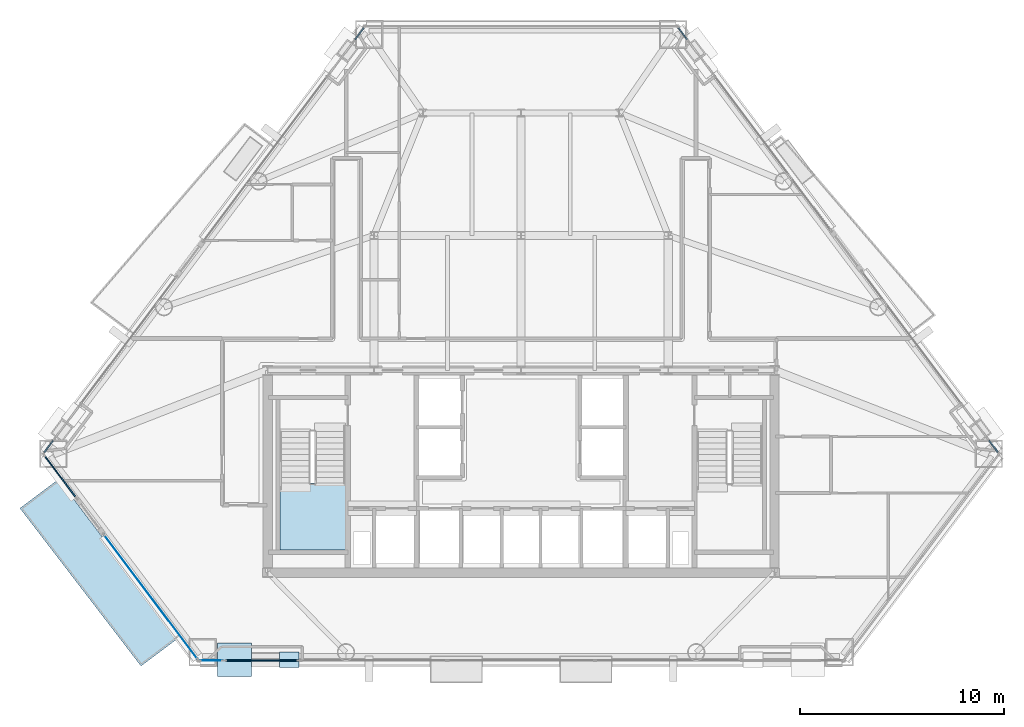
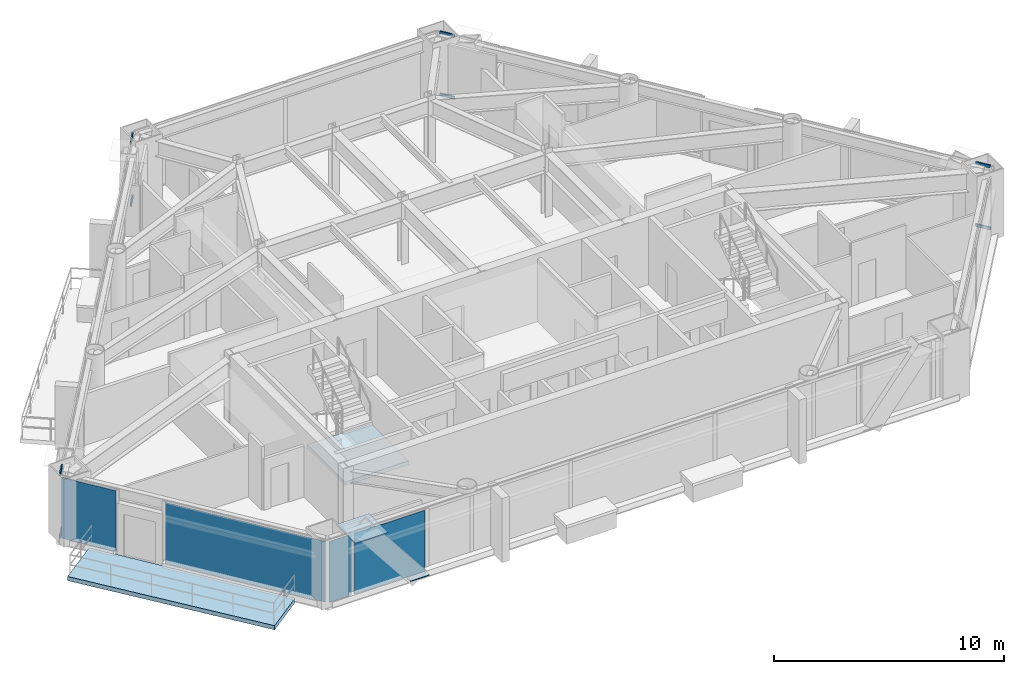
# One storey, part 5 of 14: 8 members, 6 plates, 2 slabs, 9 elements without a shape of their own.
"""IFC4 building model written with IfcOpenShell, lengths in metres."""

from ifc_helpers import new_model, si_unit, direction, frame, origin, origin_2d, place, context, subcontext, project, spatial, polyline, rectangle, outline, extrude, source, transform, mapped, material, layer, layer_set, material_profile, profile_set, type_object, type_shapes, element, aggregate, save


model = new_model("IFC4")

# Units and contexts
model_context = context("Model", 3, precision=1e-05, world=origin(), true_north=direction((0.0, 1.0)))
body_context = subcontext(model_context, "Body", "Model", "MODEL_VIEW")
ifc_project = project(units=[si_unit("LENGTHUNIT", "METRE"), si_unit("AREAUNIT", "SQUARE_METRE"), si_unit("VOLUMEUNIT", "CUBIC_METRE"), si_unit("PLANEANGLEUNIT", "RADIAN"), si_unit("MASSUNIT", "GRAM", prefix="KILO")], contexts=[model_context])

# Site, building, storey
site_placement = place(None, origin())
site = spatial("IfcSite", under=ifc_project, at=site_placement, CompositionType="ELEMENT")
building_placement = place(site_placement, origin())
building = spatial("IfcBuilding", under=site, at=building_placement, Name="Talgorran Terracotta Tower", CompositionType="ELEMENT")
storey_placement = place(building_placement, frame((0.0, 0.0, 53.10009765625)))
storey = spatial("IfcBuildingStorey", under=building, at=storey_placement, Name="L13", CompositionType="ELEMENT", Elevation=53.10009765625)

# Curtain wall, members
ifc_material_1 = material(Name="Unitised Low-E Double Glazing", Category="glass")
ifc_layer_1 = layer(ifc_material_1, 0.199951171875, Name="CW_SYS2_RES_LOW")
ifc_layer_set_1 = layer_set([ifc_layer_1], Name="Unitised Low-E Double Glazing")
curtain_wall_type = type_object("IfcCurtainWallType", Name="CW_SYS2_RES_LOW", PredefinedType="NOTDEFINED", material=ifc_layer_set_1)
curtain_wall_1_placement = place(storey_placement, origin())
curtain_wall_1 = element("IfcCurtainWall", 1, at=curtain_wall_1_placement, inside=storey, type_object=curtain_wall_type, Name="CW-L13-F40", PredefinedType="NOTDEFINED")
ifc_material_2 = material(Name="Architectural Aluminium 6063-T6", Category="aluminium")
ifc_material_profile = material_profile(ifc_material_2, rectangle(XDim=0.06494140625, YDim=0.14990234375, at=origin_2d()), Name="CWT65X150")
ifc_profile_set = profile_set([ifc_material_profile], Name="Architectural Aluminium 6063-T6")
member_type = type_object("IfcMemberType", Name="TRN_65X150", PredefinedType="USERDEFINED", material=ifc_profile_set)
member_1_placement = place(storey_placement, frame((23.32275390625, -8.20263671875, 0.032470703125), z_axis=(-0.601430361363, 0.79892522831, 0.0), x_axis=(-0.79892522831, -0.601430361363, 0.0)))
member_1 = element("IfcMember", 2, at=member_1_placement, type_object=member_type, Name="CW-L13-40 transom 1.1", ObjectType="TRANSOM", PredefinedType="USERDEFINED", context=body_context, shape_type="SweptSolid", body=[
    extrude(rectangle(XDim=0.06494140625, YDim=0.14990234375, at=origin_2d()), origin(), (0.0, 0.0, 1.0), 0.70947265625),
])
member_2_placement = place(storey_placement, frame((23.32275390625, -8.20263671875, 3.3173828125), z_axis=(-0.601430361363, 0.79892522831, 0.0), x_axis=(-0.79892522831, -0.601430361363, 0.0)))
member_2 = element("IfcMember", 3, at=member_2_placement, type_object=member_type, Name="CW-L13-40 transom 1.2", ObjectType="TRANSOM", PredefinedType="USERDEFINED", context=body_context, shape_type="SweptSolid", body=[
    extrude(rectangle(XDim=0.06494140625, YDim=0.14990234375, at=origin_2d()), origin(), (0.0, 0.0, 1.0), 0.70947265625),
])
aggregate(curtain_wall_1, [member_1, member_2])

curtain_wall_2_placement = place(storey_placement, origin())
curtain_wall_2 = element("IfcCurtainWall", 4, at=curtain_wall_2_placement, inside=storey, type_object=curtain_wall_type, Name="CW-L13-F41C", PredefinedType="NOTDEFINED")
member_3_placement = place(storey_placement, frame((8.12109375, 11.990478515625, 0.032470703125), z_axis=(-0.601395244717, 0.798951662888, 0.0), x_axis=(-0.798951662888, -0.601395244717, 0.0)))
member_3 = element("IfcMember", 5, at=member_3_placement, type_object=member_type, Name="CW-L13-41C transom 1.1", ObjectType="TRANSOM", PredefinedType="USERDEFINED", context=body_context, shape_type="SweptSolid", body=[
    extrude(rectangle(XDim=0.06494140625, YDim=0.14990234375, at=origin_2d()), origin(), (0.0, 0.0, 1.0), 0.699462890625),
])
member_4_placement = place(storey_placement, frame((8.12109375, 11.990478515625, 3.3173828125), z_axis=(-0.601395244717, 0.798951662888, 0.0), x_axis=(-0.798951662888, -0.601395244717, 0.0)))
member_4 = element("IfcMember", 6, at=member_4_placement, type_object=member_type, Name="CW-L13-41C transom 1.2", ObjectType="TRANSOM", PredefinedType="USERDEFINED", context=body_context, shape_type="SweptSolid", body=[
    extrude(rectangle(XDim=0.06494140625, YDim=0.14990234375, at=origin_2d()), origin(), (0.0, 0.0, 1.0), 0.699462890625),
])
aggregate(curtain_wall_2, [member_3, member_4])

curtain_wall_3_placement = place(storey_placement, origin())
curtain_wall_3 = element("IfcCurtainWall", 7, at=curtain_wall_3_placement, inside=storey, type_object=curtain_wall_type, Name="CW-L13-F60", PredefinedType="NOTDEFINED")
member_5_placement = place(storey_placement, frame((-7.700439453125, 12.54931640625, 0.032470703125), z_axis=(-0.601395244717, -0.798951662888, 0.0), x_axis=(0.798951662888, -0.601395244717, 0.0)))
member_5 = element("IfcMember", 8, at=member_5_placement, type_object=member_type, Name="CW-L13-60 transom 1.1", ObjectType="TRANSOM", PredefinedType="USERDEFINED", context=body_context, shape_type="SweptSolid", body=[
    extrude(rectangle(XDim=0.06494140625, YDim=0.14990234375, at=origin_2d()), origin(), (0.0, 0.0, 1.0), 0.699462890625),
])
member_6_placement = place(storey_placement, frame((-7.700439453125, 12.54931640625, 3.3173828125), z_axis=(-0.601395244717, -0.798951662888, 0.0), x_axis=(0.798951662888, -0.601395244717, 0.0)))
member_6 = element("IfcMember", 9, at=member_6_placement, type_object=member_type, Name="CW-L13-60 transom 1.2", ObjectType="TRANSOM", PredefinedType="USERDEFINED", context=body_context, shape_type="SweptSolid", body=[
    extrude(rectangle(XDim=0.06494140625, YDim=0.14990234375, at=origin_2d()), origin(), (0.0, 0.0, 1.0), 0.699462890625),
])
aggregate(curtain_wall_3, [member_5, member_6])

curtain_wall_4_placement = place(storey_placement, origin())
curtain_wall_4 = element("IfcCurtainWall", 10, at=curtain_wall_4_placement, inside=storey, type_object=curtain_wall_type, Name="CW-L13-F61C", PredefinedType="NOTDEFINED")
member_7_placement = place(storey_placement, frame((-22.89599609375, -7.6357421875, 0.032470703125), z_axis=(-0.601430361363, -0.79892522831, 0.0), x_axis=(0.79892522831, -0.601430361363, 0.0)))
member_7 = element("IfcMember", 11, at=member_7_placement, type_object=member_type, Name="CW-L13-61C transom 1.1", ObjectType="TRANSOM", PredefinedType="USERDEFINED", context=body_context, shape_type="SweptSolid", body=[
    extrude(rectangle(XDim=0.06494140625, YDim=0.14990234375, at=origin_2d()), origin(), (0.0, 0.0, 1.0), 0.70947265625),
])
member_8_placement = place(storey_placement, frame((-22.89599609375, -7.6357421875, 3.3173828125), z_axis=(-0.601430361363, -0.79892522831, 0.0), x_axis=(0.79892522831, -0.601430361363, 0.0)))
member_8 = element("IfcMember", 12, at=member_8_placement, type_object=member_type, Name="CW-L13-61C transom 1.2", ObjectType="TRANSOM", PredefinedType="USERDEFINED", context=body_context, shape_type="SweptSolid", body=[
    extrude(rectangle(XDim=0.06494140625, YDim=0.14990234375, at=origin_2d()), origin(), (0.0, 0.0, 1.0), 0.70947265625),
])
aggregate(curtain_wall_4, [member_7, member_8])

# Plates
ifc_material_3 = material(Name="Steel Grade 350 (350L0)", Category="steel")
ifc_layer_2 = layer(ifc_material_3, 0.0400390625, Name="PL_CAP_MN05")
ifc_layer_set_2 = layer_set([ifc_layer_2], Name="Steel Grade 350 (350L0)")
plate_type_1 = type_object("IfcPlateType", Name="PL_CAP_MN05", PredefinedType="USERDEFINED", material=ifc_layer_set_2)
plate_1_placement = place(storey_placement, frame((-11.3466796875, -18.35107421875, -0.010009765625), z_axis=(0.0, 0.0, 1.0), x_axis=(-1.0, 0.0, 0.0)))
element("IfcPlate", 13, at=plate_1_placement, inside=storey, type_object=plate_type_1, Name="L13 Diagonal Frame End Cap SWF Bot", ObjectType="CAP PLATE", PredefinedType="USERDEFINED", context=body_context, shape_type="SweptSolid", body=[
    extrude(rectangle(XDim=0.9599609375, YDim=0.760009765625, at=origin_2d()), origin(), (0.0, 0.0, 1.0), 0.0400390625),
])
ifc_layer_3 = layer(ifc_material_3, 0.06005859375, Name="PL_NODE_MN01")
ifc_layer_set_3 = layer_set([ifc_layer_3], Name="Steel Grade 350 (350L0)")
plate_type_2 = type_object("IfcPlateType", Name="PL_NODE_MN01", PredefinedType="USERDEFINED", material=ifc_layer_set_3)
plate_2_placement = place(storey_placement, frame((-14.025634765625, -18.35107421875, 3.309814453125), z_axis=(0.0, 0.0, 1.0), x_axis=(-1.0, 0.0, 0.0)))
element("IfcPlate", 14, at=plate_2_placement, inside=storey, type_object=plate_type_2, Name="L13 Diagonal Frame End Cap SWF Top", ObjectType="NODE PLATE", PredefinedType="USERDEFINED", context=body_context, shape_type="SweptSolid", body=[
    extrude(rectangle(XDim=1.64990234375, YDim=1.64990234375, at=origin_2d()), origin(), (0.0, 0.0, 1.0), 0.06005859375),
])

# Slab
ifc_material_4 = material(Name="Concrete C40/50", Category="concrete")
ifc_layer_4 = layer(ifc_material_4, 0.219970703125, Name="SL_BALCONY_220")
ifc_layer_set_4 = layer_set([ifc_layer_4], Name="Concrete C40/50")
slab_type_1 = type_object("IfcSlabType", Name="SL_BALCONY_220", PredefinedType="FLOOR", material=ifc_layer_set_4)
slab_1_placement = place(storey_placement, frame((0.0, 0.0, -0.22021484375)))
element("IfcSlab", 15, at=slab_1_placement, inside=storey, type_object=slab_type_1, Name="L13 Outdoor Wave Balcony BAL-SW", PredefinedType="FLOOR", context=body_context, shape_type="SweptSolid", body=[
    extrude(outline(polyline([(-16.774658203125, -17.293212890625), (-22.62451171875, -9.522705078125), (-24.517578125, -10.94775390625), (-18.59716796875, -18.6650390625), (-16.774658203125, -17.293212890625)])), origin(), (0.0, 0.0, 1.0), 0.22021484375),
])

# Stair, slab
stair_type = type_object("IfcStairType", Name="ST_FIRE_SCISSOR", PredefinedType="HALF_TURN_STAIR", material=ifc_material_4)
stair_placement = place(storey_placement, origin())
stair = element("IfcStair", 16, at=stair_placement, inside=storey, type_object=stair_type, Name="L13 West Protected Fire Stair ST-01", PredefinedType="HALF_TURN_STAIR")
ifc_layer_5 = layer(ifc_material_4, 0.199951171875, Name="SL_LANDING_200")
ifc_layer_set_5 = layer_set([ifc_layer_5], Name="Concrete C40/50")
slab_type_2 = type_object("IfcSlabType", Name="SL_LANDING_200", PredefinedType="LANDING", material=ifc_layer_set_5)
slab_2_placement = place(storey_placement, frame((0.0, 0.0, 1.599853515625)))
slab_2 = element("IfcSlab", 17, at=slab_2_placement, type_object=slab_type_2, Name="ST-01 landing 1", PredefinedType="LANDING", context=body_context, shape_type="SweptSolid", body=[
    extrude(outline(polyline([(-11.800048828125, -9.719970703125), (-11.800048828125, -13.0), (-8.60009765625, -13.0), (-8.60009765625, -9.719970703125), (-11.800048828125, -9.719970703125)])), origin(), (0.0, 0.0, 1.0), 0.199951171875),
])
aggregate(stair, [slab_2])

# Curtain wall, plate
curtain_wall_5_placement = place(storey_placement, origin())
curtain_wall_5 = element("IfcCurtainWall", 18, at=curtain_wall_5_placement, inside=storey, type_object=curtain_wall_type, Name="CW-L13-F10", PredefinedType="NOTDEFINED")
ifc_material_5 = material(Name="Terracotta Insulated Spandrel", Category="masonry")
ifc_layer_6 = layer(ifc_material_5, 0.06494140625, Name="PLT_SPANDREL_TERRA")
ifc_layer_set_6 = layer_set([ifc_layer_6], Name="Terracotta Insulated Spandrel")
plate_type_3 = type_object("IfcPlateType", Name="PLT_SPANDREL_TERRA", PredefinedType="SHEET", material=ifc_layer_set_6)
shared_shape_1 = source(origin(), body_context, "Body", "SweptSolid", [
    extrude(rectangle(XDim=2.576904296875, YDim=0.06494140625, at=origin_2d()), origin(), (0.0, 0.0, 1.0), 3.219970703125),
])
plate_3_placement = place(storey_placement, frame((-22.5478515625, -9.39990234375, 0.06494140625), z_axis=(0.0, 0.0, 1.0), x_axis=(0.601435296438, -0.798921513166, 0.0)))
plate_3 = element("IfcPlate", 19, at=plate_3_placement, type_object=plate_type_3, Name="CW-L13-10 panel 1.1", PredefinedType="CURTAIN_PANEL", context=body_context, shape_type="MappedRepresentation", body=[
    mapped(shared_shape_1, transform((0.0, 0.0, 0.0), scale=1.0)),
])
aggregate(curtain_wall_5, [plate_3])

curtain_wall_6_placement = place(storey_placement, origin())
curtain_wall_6 = element("IfcCurtainWall", 20, at=curtain_wall_6_placement, inside=storey, type_object=curtain_wall_type, Name="CW-L13-F11", PredefinedType="NOTDEFINED")
ifc_material_6 = material(Name="Low-E Laminated Vision Glass", Category="glass")
ifc_layer_7 = layer(ifc_material_6, 0.028076171875, Name="PLT_VISION_28")
ifc_layer_set_7 = layer_set([ifc_layer_7], Name="Low-E Laminated Vision Glass")
plate_type_4 = type_object("IfcPlateType", Name="PLT_VISION_28", PredefinedType="CURTAIN_PANEL", material=ifc_layer_set_7)
shared_shape_2 = source(origin(), body_context, "Body", "SweptSolid", [
    extrude(rectangle(XDim=7.570556640625, YDim=0.028076171875, at=origin_2d()), origin(), (0.0, 0.0, 1.0), 3.219970703125),
])
plate_4_placement = place(storey_placement, frame((-18.118896484375, -15.282958984375, 0.06494140625), z_axis=(0.0, 0.0, 1.0), x_axis=(0.60144721713, -0.798912539022, 0.0)))
plate_4 = element("IfcPlate", 21, at=plate_4_placement, type_object=plate_type_4, Name="CW-L13-11 panel 1.1", PredefinedType="CURTAIN_PANEL", context=body_context, shape_type="MappedRepresentation", body=[
    mapped(shared_shape_2, transform((0.0, 0.0, 0.0), scale=1.0)),
])
aggregate(curtain_wall_6, [plate_4])

curtain_wall_7_placement = place(storey_placement, origin())
curtain_wall_7 = element("IfcCurtainWall", 22, at=curtain_wall_7_placement, inside=storey, type_object=curtain_wall_type, Name="CW-L13-F1", PredefinedType="NOTDEFINED")
shared_shape_3 = source(origin(), body_context, "Body", "SweptSolid", [
    extrude(rectangle(XDim=1.114990234375, YDim=0.028076171875, at=origin_2d()), origin(), (0.0, 0.0, 1.0), 3.219970703125),
])
type_shapes(plate_type_4, [shared_shape_2, shared_shape_3])
plate_5_placement = place(storey_placement, frame((-15.15673828125, -18.39111328125, 0.06494140625), z_axis=(0.0, 0.0, 1.0), x_axis=(1.0, 0.0, 0.0)))
plate_5 = element("IfcPlate", 23, at=plate_5_placement, type_object=plate_type_4, Name="CW-L13-1 panel 1.1", PredefinedType="CURTAIN_PANEL", context=body_context, shape_type="MappedRepresentation", body=[
    mapped(shared_shape_3, transform((0.0, 0.0, 0.0), scale=1.0)),
])
aggregate(curtain_wall_7, [plate_5])

curtain_wall_8_placement = place(storey_placement, origin())
curtain_wall_8 = element("IfcCurtainWall", 24, at=curtain_wall_8_placement, inside=storey, type_object=curtain_wall_type, Name="CW-L13-F1B", PredefinedType="NOTDEFINED")
shared_shape_4 = source(origin(), body_context, "Body", "SweptSolid", [
    extrude(rectangle(XDim=3.546142578125, YDim=0.06494140625, at=origin_2d()), origin(), (0.0, 0.0, 1.0), 3.219970703125),
])
type_shapes(plate_type_3, [shared_shape_1, shared_shape_4])
plate_6_placement = place(storey_placement, frame((-12.68603515625, -18.39111328125, 0.06494140625), z_axis=(0.0, 0.0, 1.0), x_axis=(1.0, 0.0, 0.0)))
plate_6 = element("IfcPlate", 25, at=plate_6_placement, type_object=plate_type_3, Name="CW-L13-1B panel 1.1", PredefinedType="CURTAIN_PANEL", context=body_context, shape_type="MappedRepresentation", body=[
    mapped(shared_shape_4, transform((0.0, 0.0, 0.0), scale=1.0)),
])
aggregate(curtain_wall_8, [plate_6])

save(model, "model.ifc")
